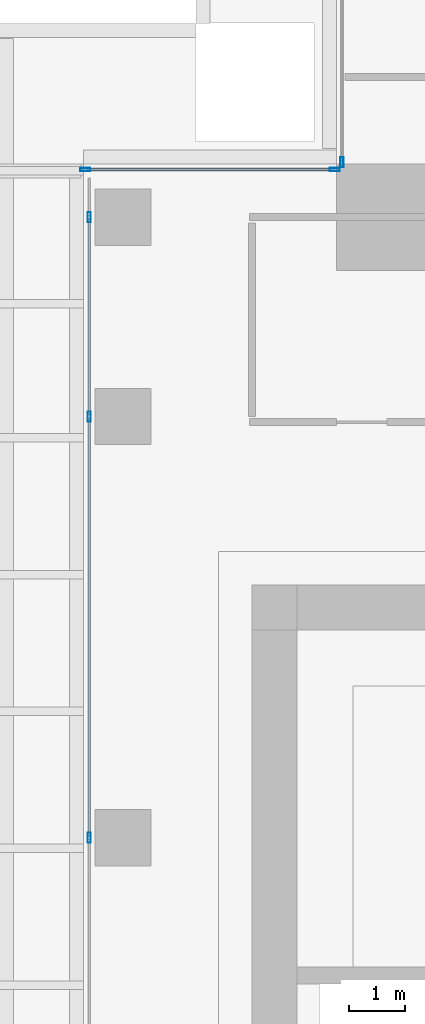
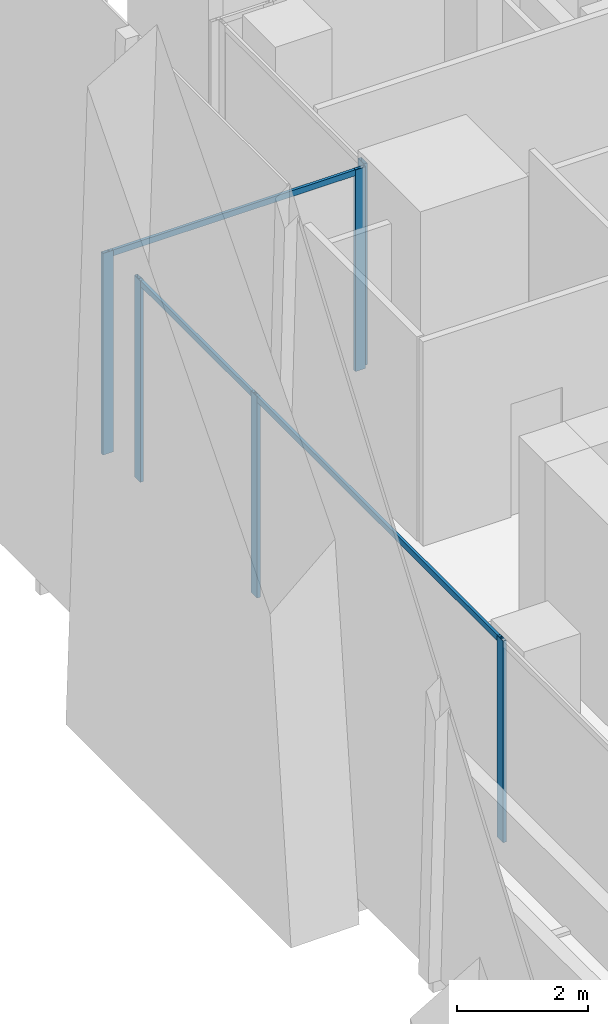
# One storey, part 16 of 43: 9 members, 3 elements without a shape of their own.
"""IFC4 building model written with IfcOpenShell, lengths in metres."""

from ifc_helpers import new_model, si_unit, direction, frame, origin, origin_2d, place, context, subcontext, project, spatial, hollow_rectangle, extrude, source, transform, mapped, material, material_profile, profile_set, type_object, element, aggregate, save


model = new_model("IFC4")

# Units and contexts
model_context = context("Model", 3, precision=1e-05, world=origin(), true_north=direction((0.0, 1.0)))
body_context = subcontext(model_context, "Body", "Model", "MODEL_VIEW")
ifc_project = project(units=[si_unit("LENGTHUNIT", "METRE"), si_unit("AREAUNIT", "SQUARE_METRE"), si_unit("VOLUMEUNIT", "CUBIC_METRE"), si_unit("PLANEANGLEUNIT", "RADIAN"), si_unit("MASSUNIT", "GRAM", prefix="KILO")], contexts=[model_context])

# Site, building, storey
site_placement = place(None, origin())
site = spatial("IfcSite", under=ifc_project, at=site_placement, CompositionType="ELEMENT")
building_placement = place(site_placement, origin())
building = spatial("IfcBuilding", under=site, at=building_placement, Name="Khomas Fold Tower", CompositionType="ELEMENT")
storey_placement = place(building_placement, frame((0.0, 0.0, 164.699951171875)))
storey = spatial("IfcBuildingStorey", under=building, at=storey_placement, Name="L35", CompositionType="ELEMENT", Elevation=164.699951171875)

# Curtain wall, member
ifc_material_1 = material(Name="Aluminium framed double glazing", Category="aluminium")
curtain_wall_type = type_object("IfcCurtainWallType", Name="SK-Unitised clear-glass wall, office floors CW2", PredefinedType="NOTDEFINED", material=ifc_material_1)
curtain_wall_1_placement = place(storey_placement, origin())
curtain_wall_1 = element("IfcCurtainWall", 1, at=curtain_wall_1_placement, inside=storey, type_object=curtain_wall_type, Name="CW2 corner return L35 16", PredefinedType="NOTDEFINED")
ifc_material_2 = material(Name="Aluminium", Category="aluminium")
ifc_material_profile_1 = material_profile(ifc_material_2, hollow_rectangle(XDim=0.06005859375, YDim=0.179931640625, WallThickness=0.00390625, at=origin_2d()), Name="SK-Unitised clear-glass wall, office floors mullion CW2-M")
ifc_profile_set_1 = profile_set([ifc_material_profile_1], Name="Aluminium")
member_type_1 = type_object("IfcMemberType", Name="SK-Unitised clear-glass wall, office floors mullion CW2-M", PredefinedType="MULLION", material=ifc_profile_set_1)
shared_shape_1 = source(origin(), body_context, "Body", "SweptSolid", [
    extrude(hollow_rectangle(XDim=0.06005859375, YDim=0.179931640625, WallThickness=0.00390625, at=origin_2d()), origin(), (0.0, 0.0, 1.0), 3.75),
])
member_1_placement = place(storey_placement, frame((7.60009765625, 46.530029296875, 0.0), z_axis=(0.0, 0.0, 1.0), x_axis=(1.0, 0.0, 0.0)))
member_1 = element("IfcMember", 2, at=member_1_placement, type_object=member_type_1, Name="CW2 mullion 2", PredefinedType="MULLION", context=body_context, shape_type="MappedRepresentation", body=[
    mapped(shared_shape_1, transform((0.0, 0.0, 0.0))),
])
aggregate(curtain_wall_1, [member_1])

# Curtain wall, members
curtain_wall_2_placement = place(storey_placement, origin())
curtain_wall_2 = element("IfcCurtainWall", 3, at=curtain_wall_2_placement, inside=storey, type_object=curtain_wall_type, Name="CW2 corner return L35 17", PredefinedType="NOTDEFINED")
member_2_placement = place(storey_placement, frame((7.469970703125, 46.39990234375, 0.0), z_axis=(0.0, 0.0, 1.0), x_axis=(0.0, -1.0, 0.0)))
member_2 = element("IfcMember", 4, at=member_2_placement, type_object=member_type_1, Name="CW2 mullion 1", PredefinedType="MULLION", context=body_context, shape_type="MappedRepresentation", body=[
    mapped(shared_shape_1, transform((0.0, 0.0, 0.0))),
])
member_3_placement = place(storey_placement, frame((3.030029296875, 46.39990234375, 0.0), z_axis=(0.0, 0.0, 1.0), x_axis=(0.0, -1.0, 0.0)))
member_3 = element("IfcMember", 5, at=member_3_placement, type_object=member_type_1, Name="CW2 mullion 2", PredefinedType="MULLION", context=body_context, shape_type="MappedRepresentation", body=[
    mapped(shared_shape_1, transform((0.0, 0.0, 0.0))),
])

curtain_wall_3_placement = place(storey_placement, origin())
curtain_wall_3 = element("IfcCurtainWall", 6, at=curtain_wall_3_placement, inside=storey, type_object=curtain_wall_type, Name="CW2 run L35 18-0", PredefinedType="NOTDEFINED")
member_4_placement = place(storey_placement, frame((3.10009765625, 45.550048828125, 0.0), z_axis=(0.0, 0.0, 1.0), x_axis=(1.0, 0.0, 0.0)))
member_4 = element("IfcMember", 7, at=member_4_placement, type_object=member_type_1, Name="CW2 mullion 2", PredefinedType="MULLION", context=body_context, shape_type="MappedRepresentation", body=[
    mapped(shared_shape_1, transform((0.0, 0.0, 0.0))),
])
member_5_placement = place(storey_placement, frame((3.10009765625, 42.0, 0.0), z_axis=(0.0, 0.0, 1.0), x_axis=(1.0, 0.0, 0.0)))
member_5 = element("IfcMember", 8, at=member_5_placement, type_object=member_type_1, Name="CW2 mullion 3", PredefinedType="MULLION", context=body_context, shape_type="MappedRepresentation", body=[
    mapped(shared_shape_1, transform((0.0, 0.0, 0.0))),
])
member_6_placement = place(storey_placement, frame((3.10009765625, 34.5, 0.0), z_axis=(0.0, 0.0, 1.0), x_axis=(1.0, 0.0, 0.0)))
member_6 = element("IfcMember", 9, at=member_6_placement, type_object=member_type_1, Name="CW2 mullion 4", PredefinedType="MULLION", context=body_context, shape_type="MappedRepresentation", body=[
    mapped(shared_shape_1, transform((0.0, 0.0, 0.0))),
])

# Member
ifc_material_3 = material(Name="Aluminium", Category="aluminium")
ifc_material_profile_2 = material_profile(ifc_material_3, hollow_rectangle(XDim=0.050048828125, YDim=0.110107421875, WallThickness=0.00390625, at=origin_2d()), Name="SK-Unitised clear-glass wall, office floors transom CW2-T")
ifc_profile_set_2 = profile_set([ifc_material_profile_2], Name="Aluminium")
member_type_2 = type_object("IfcMemberType", Name="SK-Unitised clear-glass wall, office floors transom CW2-T", PredefinedType="USERDEFINED", material=ifc_profile_set_2)
shared_shape_2 = source(origin(), body_context, "Body", "SweptSolid", [
    extrude(hollow_rectangle(XDim=0.050048828125, YDim=0.110107421875, WallThickness=0.00390625, at=origin_2d()), origin(), (0.0, 0.0, 1.0), 4.3798828125),
])
member_7_placement = place(storey_placement, frame((7.43994140625, 46.39990234375, 3.695068359375), z_axis=(-1.0, 0.0, 0.0), x_axis=(0.0, -1.0, 0.0)))
member_7 = element("IfcMember", 10, at=member_7_placement, type_object=member_type_2, Name="CW2 transom 1", ObjectType="TRANSOM", PredefinedType="USERDEFINED", context=body_context, shape_type="MappedRepresentation", body=[
    mapped(shared_shape_2, transform((0.0, 0.0, 0.0))),
])

aggregate(curtain_wall_2, [member_2, member_3, member_7])

shared_shape_3 = source(origin(), body_context, "Body", "SweptSolid", [
    extrude(hollow_rectangle(XDim=0.050048828125, YDim=0.110107421875, WallThickness=0.00390625, at=origin_2d()), origin(), (0.0, 0.0, 1.0), 3.489990234375),
])
member_8_placement = place(storey_placement, frame((3.10009765625, 45.52001953125, 3.695068359375), z_axis=(0.0, -1.0, 0.0), x_axis=(1.0, 0.0, 0.0)))
member_8 = element("IfcMember", 11, at=member_8_placement, type_object=member_type_2, Name="CW2 transom 2", ObjectType="TRANSOM", PredefinedType="USERDEFINED", context=body_context, shape_type="MappedRepresentation", body=[
    mapped(shared_shape_3, transform((0.0, 0.0, 0.0))),
])

shared_shape_4 = source(origin(), body_context, "Body", "SweptSolid", [
    extrude(hollow_rectangle(XDim=0.050048828125, YDim=0.110107421875, WallThickness=0.00390625, at=origin_2d()), origin(), (0.0, 0.0, 1.0), 7.43994140625),
])
member_9_placement = place(storey_placement, frame((3.10009765625, 41.969970703125, 3.695068359375), z_axis=(0.0, -1.0, 0.0), x_axis=(1.0, 0.0, 0.0)))
member_9 = element("IfcMember", 12, at=member_9_placement, type_object=member_type_2, Name="CW2 transom 3", ObjectType="TRANSOM", PredefinedType="USERDEFINED", context=body_context, shape_type="MappedRepresentation", body=[
    mapped(shared_shape_4, transform((0.0, 0.0, 0.0))),
])

aggregate(curtain_wall_3, [member_4, member_5, member_6, member_8, member_9])

save(model, "model.ifc")
